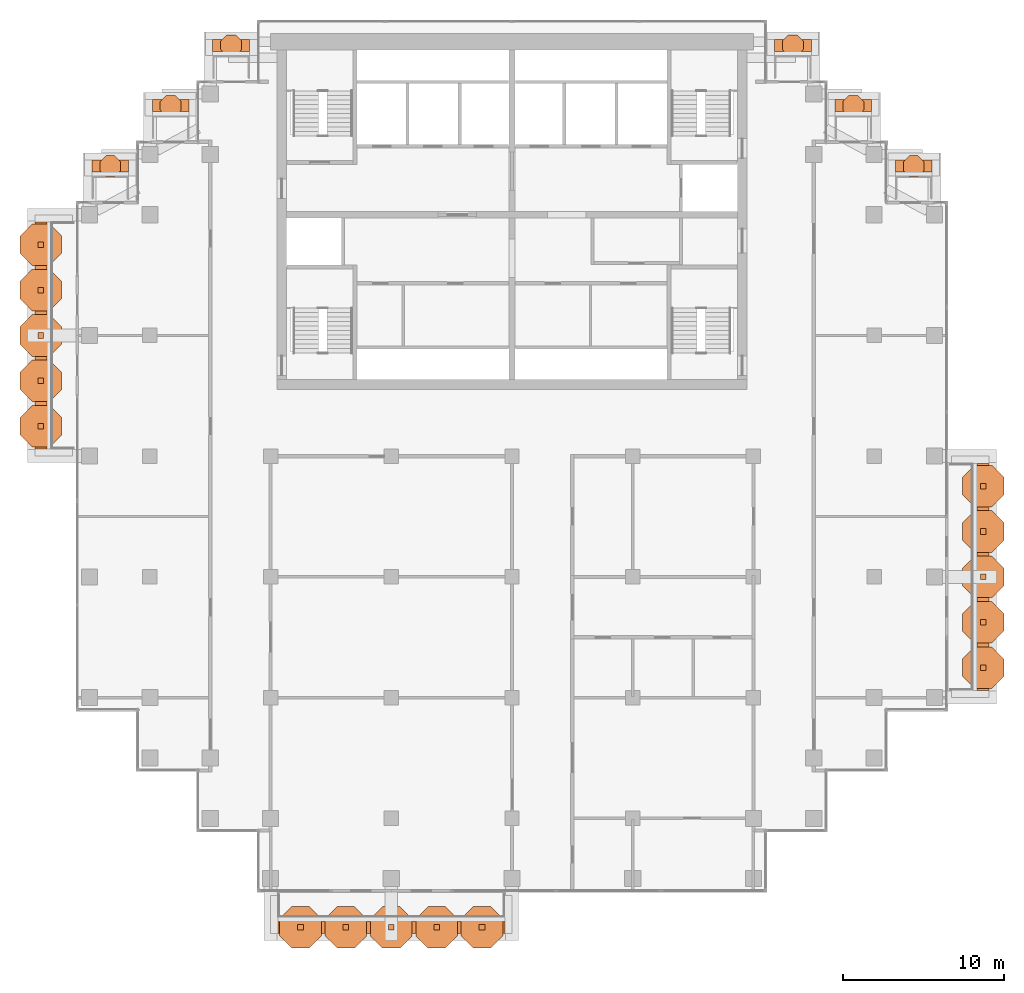
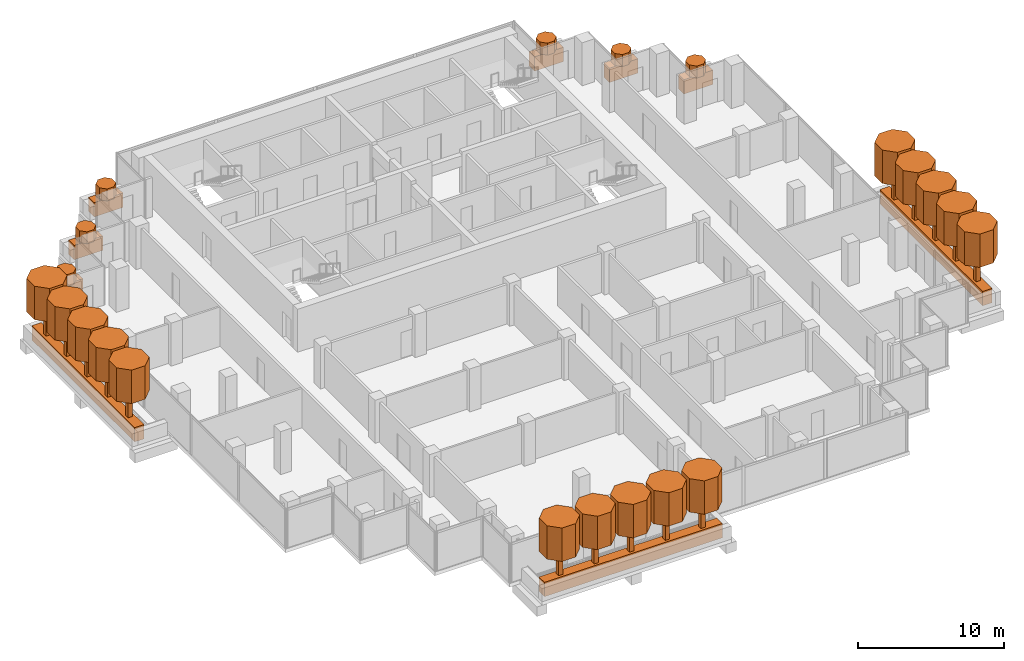
# One storey, part 18 of 18: 45 geographic elements.
"""IFC4 building model written with IfcOpenShell, lengths in metres."""

from ifc_helpers import new_model, si_unit, direction, frame, origin, origin_2d, place, context, subcontext, project, spatial, polyline, rectangle, outline, extrude, material, material_profile, profile_set, type_object, element, save


model = new_model("IFC4")

# Units and contexts
model_context = context("Model", 3, precision=1e-05, world=origin(), true_north=direction((0.0, 1.0)))
body_context = subcontext(model_context, "Body", "Model", "MODEL_VIEW")
ifc_project = project(units=[si_unit("LENGTHUNIT", "METRE"), si_unit("AREAUNIT", "SQUARE_METRE"), si_unit("VOLUMEUNIT", "CUBIC_METRE"), si_unit("PLANEANGLEUNIT", "RADIAN"), si_unit("MASSUNIT", "GRAM", prefix="KILO")], contexts=[model_context])

# Site, building, storey
site_placement = place(None, origin())
site = spatial("IfcSite", under=ifc_project, at=site_placement, CompositionType="ELEMENT")
building_placement = place(site_placement, origin())
building = spatial("IfcBuilding", under=site, at=building_placement, Name="Pilkhan Gate Tower", CompositionType="ELEMENT")
storey_placement = place(building_placement, frame((0.0, 0.0, 221.10009765625)))
storey = spatial("IfcBuildingStorey", under=building, at=storey_placement, Name="L57", CompositionType="ELEMENT", Elevation=221.10009765625)

# Geographic elements
ifc_material_1 = material(Name="Foliage")
ifc_material_profile_1 = material_profile(ifc_material_1, rectangle(XDim=0.75, YDim=1.199951171875, at=origin_2d()), Name="Bed 750x1200")
ifc_profile_set_1 = profile_set([ifc_material_profile_1], Name="Foliage")
geographic_element_type_1 = type_object("IfcGeographicElementType", Name="Planting bed PB1", PredefinedType="USERDEFINED", material=ifc_profile_set_1)
for number, where, z_axis, x_axis, name in (
    (1, (60.449951171875, 38.22509765625, 0.599853515625), (1.0, 0.0, 0.0), (0.0, 1.0, 0.0), "Balcony L57 S planting bed"),
    (2, (104.27490234375, 52.949951171875, 0.599853515625), (0.0, 1.0, 0.0), (-1.0, 0.0, 0.0), "Balcony L57 E planting bed"),
):
    element("IfcGeographicElement", number, at=place(storey_placement, frame(where, z_axis=z_axis, x_axis=x_axis)), inside=storey, type_object=geographic_element_type_1, Name=name, ObjectType="PLANTING BED", PredefinedType="USERDEFINED", context=body_context, shape_type="SweptSolid", body=[
        extrude(rectangle(XDim=0.75, YDim=1.199951171875, at=origin_2d()), origin(), (0.0, 0.0, 1.0), 14.10009765625),
    ])
for number, where, z_axis, x_axis, name in (
    (3, (56.39990234375, 93.02490234375, 0.599853515625), (1.0, 0.0, 0.0), (0.0, 1.0, 0.0), "Balcony L57 N planting bed"),
    (4, (91.300048828125, 93.02490234375, 0.599853515625), (1.0, 0.0, 0.0), (0.0, 1.0, 0.0), "Balcony L57 N planting bed"),
):
    element("IfcGeographicElement", number, at=place(storey_placement, frame(where, z_axis=z_axis, x_axis=x_axis)), inside=storey, type_object=geographic_element_type_1, Name=name, ObjectType="PLANTING BED", PredefinedType="USERDEFINED", context=body_context, shape_type="SweptSolid", body=[
        extrude(rectangle(XDim=0.75, YDim=1.199951171875, at=origin_2d()), origin(), (0.0, 0.0, 1.0), 2.300048828125),
    ])
for number, where, z_axis, x_axis, name in (
    (5, (52.64990234375, 89.27490234375, 0.599853515625), (1.0, 0.0, 0.0), (0.0, 1.0, 0.0), "Balcony L57 N planting bed"),
    (6, (48.89990234375, 85.52490234375, 0.599853515625), (1.0, 0.0, 0.0), (0.0, 1.0, 0.0), "Balcony L57 N planting bed"),
    (7, (95.070068359375, 89.27490234375, 0.599853515625), (1.0, 0.0, 0.0), (0.0, 1.0, 0.0), "Balcony L57 N planting bed"),
    (8, (98.820068359375, 85.52490234375, 0.599853515625), (1.0, 0.0, 0.0), (0.0, 1.0, 0.0), "Balcony L57 N planting bed"),
):
    element("IfcGeographicElement", number, at=place(storey_placement, frame(where, z_axis=z_axis, x_axis=x_axis)), inside=storey, type_object=geographic_element_type_1, Name=name, ObjectType="PLANTING BED", PredefinedType="USERDEFINED", context=body_context, shape_type="SweptSolid", body=[
        extrude(rectangle(XDim=0.75, YDim=1.199951171875, at=origin_2d()), origin(), (0.0, 0.0, 1.0), 2.280029296875),
    ])
geographic_element_placement = place(storey_placement, frame((45.72509765625, 67.949951171875, 0.599853515625), z_axis=(0.0, 1.0, 0.0), x_axis=(-1.0, 0.0, 0.0)))
element("IfcGeographicElement", 9, at=geographic_element_placement, inside=storey, type_object=geographic_element_type_1, Name="Balcony L57 W planting bed", ObjectType="PLANTING BED", PredefinedType="USERDEFINED", context=body_context, shape_type="SweptSolid", body=[
    extrude(rectangle(XDim=0.75, YDim=1.199951171875, at=origin_2d()), origin(), (0.0, 0.0, 1.0), 14.10009765625),
])
ifc_material_profile_2 = material_profile(ifc_material_1, outline(polyline([(0.646728515625, 0.267822265625), (0.267822265625, 0.646728515625), (-0.267822265625, 0.646728515625), (-0.646728515625, 0.267822265625), (-0.646728515625, -0.267822265625), (-0.267822265625, -0.646728515625), (0.267822265625, -0.646728515625), (0.646728515625, -0.267822265625), (0.646728515625, 0.267822265625)])), Name="Shrub D1.4")
ifc_profile_set_2 = profile_set([ifc_material_profile_2], Name="Foliage")
geographic_element_type_2 = type_object("IfcGeographicElementType", Name="Shrub SH07", PredefinedType="USERDEFINED", material=ifc_profile_set_2)
for number, where, z_axis, x_axis, name in (
    (10, (57.550048828125, 93.02490234375, 1.199951171875), (0.0, 0.0, 1.0), (1.0, 0.0, 0.0), "Shrub L57 N 1"),
    (11, (92.449951171875, 93.02490234375, 1.199951171875), (0.0, 0.0, 1.0), (1.0, 0.0, 0.0), "Shrub L57 N 1"),
    (12, (53.7900390625, 89.27490234375, 1.199951171875), (0.0, 0.0, 1.0), (1.0, 0.0, 0.0), "Shrub L57 N 1"),
    (13, (50.0400390625, 85.52490234375, 1.199951171875), (0.0, 0.0, 1.0), (1.0, 0.0, 0.0), "Shrub L57 N 1"),
    (14, (96.2099609375, 89.27490234375, 1.199951171875), (0.0, 0.0, 1.0), (1.0, 0.0, 0.0), "Shrub L57 N 1"),
    (15, (99.9599609375, 85.52490234375, 1.199951171875), (0.0, 0.0, 1.0), (1.0, 0.0, 0.0), "Shrub L57 N 1"),
):
    element("IfcGeographicElement", number, at=place(storey_placement, frame(where, z_axis=z_axis, x_axis=x_axis)), inside=storey, type_object=geographic_element_type_2, Name=name, ObjectType="SHRUB", PredefinedType="USERDEFINED", context=body_context, shape_type="SweptSolid", body=[
        extrude(outline(polyline([(0.646728515625, 0.267822265625), (0.267822265625, 0.646728515625), (-0.267822265625, 0.646728515625), (-0.646728515625, 0.267822265625), (-0.646728515625, -0.267822265625), (-0.267822265625, -0.646728515625), (0.267822265625, -0.646728515625), (0.646728515625, -0.267822265625), (0.646728515625, 0.267822265625)])), origin(), (0.0, 0.0, 1.0), 1.0),
    ])
ifc_material_profile_3 = material_profile(ifc_material_1, outline(polyline([(1.29345703125, 0.535888671875), (0.535888671875, 1.29345703125), (-0.535888671875, 1.29345703125), (-1.29345703125, 0.535888671875), (-1.29345703125, -0.535888671875), (-0.535888671875, -1.29345703125), (0.535888671875, -1.29345703125), (1.29345703125, -0.535888671875), (1.29345703125, 0.535888671875)])), Name="Canopy D2.8")
ifc_profile_set_3 = profile_set([ifc_material_profile_3], Name="Foliage")
geographic_element_type_3 = type_object("IfcGeographicElementType", Name="Tree canopy TC14", PredefinedType="USERDEFINED", material=ifc_profile_set_3)
for number, where, z_axis, x_axis, name in (
    (16, (61.860107421875, 38.22509765625, 3.199951171875), (0.0, 0.0, 1.0), (1.0, 0.0, 0.0), "Tree L57 S 1 canopy"),
    (17, (64.679931640625, 38.22509765625, 3.199951171875), (0.0, 0.0, 1.0), (1.0, 0.0, 0.0), "Tree L57 S 2 canopy"),
    (18, (67.5, 38.22509765625, 3.199951171875), (0.0, 0.0, 1.0), (1.0, 0.0, 0.0), "Tree L57 S 3 canopy"),
    (19, (70.320068359375, 38.22509765625, 3.199951171875), (0.0, 0.0, 1.0), (1.0, 0.0, 0.0), "Tree L57 S 4 canopy"),
    (20, (73.139892578125, 38.22509765625, 3.199951171875), (0.0, 0.0, 1.0), (1.0, 0.0, 0.0), "Tree L57 S 5 canopy"),
    (21, (104.27490234375, 54.360107421875, 3.199951171875), (0.0, 0.0, 1.0), (1.0, 0.0, 0.0), "Tree L57 E 1 canopy"),
    (22, (104.27490234375, 57.179931640625, 3.199951171875), (0.0, 0.0, 1.0), (1.0, 0.0, 0.0), "Tree L57 E 2 canopy"),
    (23, (104.27490234375, 60.0, 3.199951171875), (0.0, 0.0, 1.0), (1.0, 0.0, 0.0), "Tree L57 E 3 canopy"),
    (24, (104.27490234375, 62.820068359375, 3.199951171875), (0.0, 0.0, 1.0), (1.0, 0.0, 0.0), "Tree L57 E 4 canopy"),
    (25, (104.27490234375, 65.639892578125, 3.199951171875), (0.0, 0.0, 1.0), (1.0, 0.0, 0.0), "Tree L57 E 5 canopy"),
    (26, (45.72509765625, 69.360107421875, 3.199951171875), (0.0, 0.0, 1.0), (1.0, 0.0, 0.0), "Tree L57 W 1 canopy"),
    (27, (45.72509765625, 72.179931640625, 3.199951171875), (0.0, 0.0, 1.0), (1.0, 0.0, 0.0), "Tree L57 W 2 canopy"),
    (28, (45.72509765625, 75.0, 3.199951171875), (0.0, 0.0, 1.0), (1.0, 0.0, 0.0), "Tree L57 W 3 canopy"),
    (29, (45.72509765625, 77.820068359375, 3.199951171875), (0.0, 0.0, 1.0), (1.0, 0.0, 0.0), "Tree L57 W 4 canopy"),
    (30, (45.72509765625, 80.639892578125, 3.199951171875), (0.0, 0.0, 1.0), (1.0, 0.0, 0.0), "Tree L57 W 5 canopy"),
):
    element("IfcGeographicElement", number, at=place(storey_placement, frame(where, z_axis=z_axis, x_axis=x_axis)), inside=storey, type_object=geographic_element_type_3, Name=name, ObjectType="TREE", PredefinedType="USERDEFINED", context=body_context, shape_type="SweptSolid", body=[
        extrude(outline(polyline([(1.29345703125, 0.535888671875), (0.535888671875, 1.29345703125), (-0.535888671875, 1.29345703125), (-1.29345703125, 0.535888671875), (-1.29345703125, -0.535888671875), (-0.535888671875, -1.29345703125), (0.535888671875, -1.29345703125), (1.29345703125, -0.535888671875), (1.29345703125, 0.535888671875)])), origin(), (0.0, 0.0, 1.0), 2.800048828125),
    ])
ifc_material_2 = material(Name="Timber trunk", Category="wood")
geographic_element_type_4 = type_object("IfcGeographicElementType", Name="Tree trunk TT1", PredefinedType="USERDEFINED", material=ifc_material_2)
for number, where, z_axis, x_axis, name in (
    (31, (61.860107421875, 38.22509765625, 1.199951171875), (0.0, 0.0, 1.0), (1.0, 0.0, 0.0), "Tree L57 S 1 trunk"),
    (32, (64.679931640625, 38.22509765625, 1.199951171875), (0.0, 0.0, 1.0), (1.0, 0.0, 0.0), "Tree L57 S 2 trunk"),
    (33, (67.5, 38.22509765625, 1.199951171875), (0.0, 0.0, 1.0), (1.0, 0.0, 0.0), "Tree L57 S 3 trunk"),
    (34, (70.320068359375, 38.22509765625, 1.199951171875), (0.0, 0.0, 1.0), (1.0, 0.0, 0.0), "Tree L57 S 4 trunk"),
    (35, (73.139892578125, 38.22509765625, 1.199951171875), (0.0, 0.0, 1.0), (1.0, 0.0, 0.0), "Tree L57 S 5 trunk"),
    (36, (104.27490234375, 54.360107421875, 1.199951171875), (0.0, 0.0, 1.0), (1.0, 0.0, 0.0), "Tree L57 E 1 trunk"),
    (37, (104.27490234375, 57.179931640625, 1.199951171875), (0.0, 0.0, 1.0), (1.0, 0.0, 0.0), "Tree L57 E 2 trunk"),
    (38, (104.27490234375, 60.0, 1.199951171875), (0.0, 0.0, 1.0), (1.0, 0.0, 0.0), "Tree L57 E 3 trunk"),
    (39, (104.27490234375, 62.820068359375, 1.199951171875), (0.0, 0.0, 1.0), (1.0, 0.0, 0.0), "Tree L57 E 4 trunk"),
    (40, (104.27490234375, 65.639892578125, 1.199951171875), (0.0, 0.0, 1.0), (1.0, 0.0, 0.0), "Tree L57 E 5 trunk"),
    (41, (45.72509765625, 69.360107421875, 1.199951171875), (0.0, 0.0, 1.0), (1.0, 0.0, 0.0), "Tree L57 W 1 trunk"),
    (42, (45.72509765625, 72.179931640625, 1.199951171875), (0.0, 0.0, 1.0), (1.0, 0.0, 0.0), "Tree L57 W 2 trunk"),
    (43, (45.72509765625, 75.0, 1.199951171875), (0.0, 0.0, 1.0), (1.0, 0.0, 0.0), "Tree L57 W 3 trunk"),
    (44, (45.72509765625, 77.820068359375, 1.199951171875), (0.0, 0.0, 1.0), (1.0, 0.0, 0.0), "Tree L57 W 4 trunk"),
    (45, (45.72509765625, 80.639892578125, 1.199951171875), (0.0, 0.0, 1.0), (1.0, 0.0, 0.0), "Tree L57 W 5 trunk"),
):
    element("IfcGeographicElement", number, at=place(storey_placement, frame(where, z_axis=z_axis, x_axis=x_axis)), inside=storey, type_object=geographic_element_type_4, Name=name, ObjectType="TREE", PredefinedType="USERDEFINED", context=body_context, shape_type="SweptSolid", body=[
        extrude(rectangle(XDim=0.35009765625, YDim=0.35009765625, at=origin_2d()), origin(), (0.0, 0.0, 1.0), 2.0),
    ])

save(model, "model.ifc")
